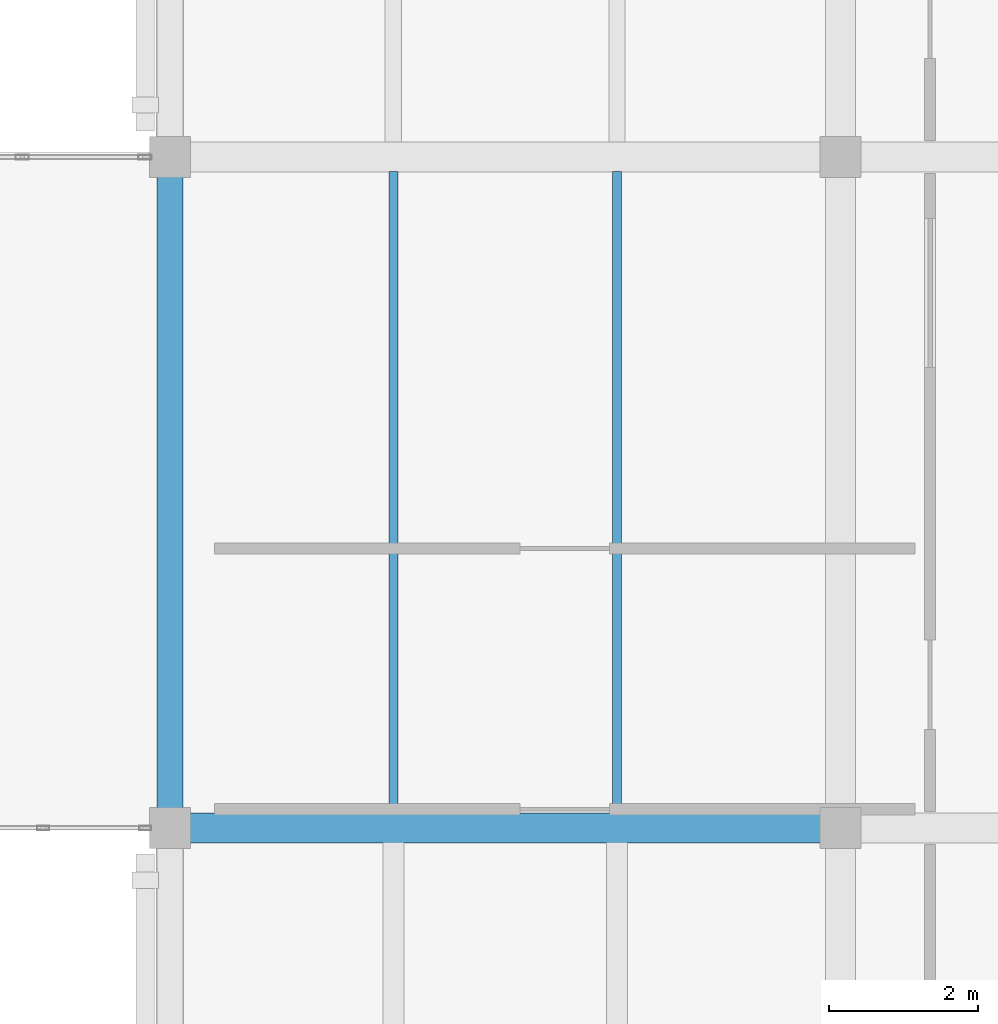
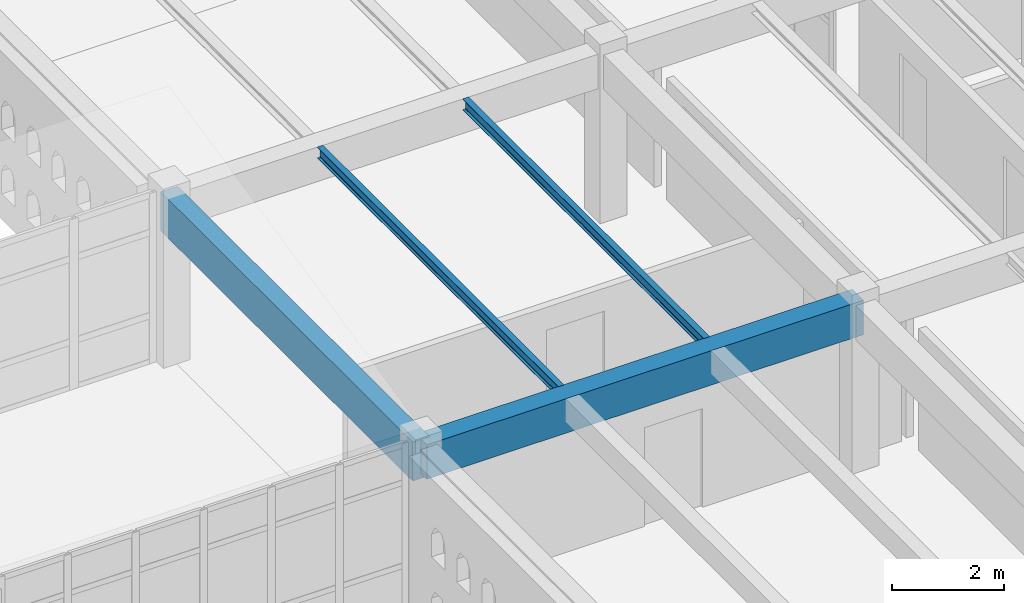
# One storey, part 77 of 156: 4 beams.
"""IFC4 building model written with IfcOpenShell, lengths in metres."""

import ifcopenshell
import ifcopenshell.guid

model = None  # the IFC model being written
_history = None  # IfcOwnerHistory: only IFC2X3 demands one
_inside = {}  # id of a spatial element -> (the spatial element, [elements in it])
_under = {}  # id of a project, library or spatial element -> (it, [spatial elements below it])
_declared = {}  # id of a project -> (the project, [libraries it declares])
_typed = {}  # id of a type object -> (the type object, [elements of that type])
_made_of = {}  # id of a material, layer set ... -> (it, [elements and type objects made of it])


def new_model(schema):
    """Start an empty IFC model of exactly this schema.

    Asked for "IFC4X3", IfcOpenShell would pick the latest addendum, in which some entities
    have other attributes; the version numbers below select the first issue.
    IFC2X3 requires an IfcOwnerHistory on every rooted entity: one is made here for all.
    """
    global model, _history
    if schema == "IFC4X3":
        model = ifcopenshell.file(schema_version=(4, 3, 0, 0))
    else:
        model = ifcopenshell.file(schema=schema)
    _inside.clear()
    _under.clear()
    _declared.clear()
    _typed.clear()
    _made_of.clear()
    _history = None
    if model.schema == "IFC2X3":
        org = make("IfcOrganization", Name="unknown")
        user = make(
            "IfcPersonAndOrganization",
            ThePerson=make("IfcPerson", FamilyName="unknown"),
            TheOrganization=org,
        )
        app = make(
            "IfcApplication",
            ApplicationDeveloper=org,
            Version="unknown",
            ApplicationFullName="unknown",
            ApplicationIdentifier="unknown",
        )
        _history = make(
            "IfcOwnerHistory",
            OwningUser=user,
            OwningApplication=app,
            ChangeAction="ADDED",
            CreationDate=0,
        )
    return model


def make(cls, **values):
    """One entity of the class cls with the attributes given. An attribute that is None is left unset."""
    return model.create_entity(
        cls, **{name: value for name, value in values.items() if value is not None}
    )


def rooted(cls, **values):
    """An entity with a GlobalId (a new one), such as an element, a storey or a relation."""
    return make(cls, GlobalId=ifcopenshell.guid.new(), OwnerHistory=_history, **values)


def si_unit(unit_type, name, prefix=None):
    """IfcSIUnit, for example si_unit("LENGTHUNIT", "METRE", prefix="MILLI")."""
    return make("IfcSIUnit", UnitType=unit_type, Prefix=prefix, Name=name)


def assignment(units):
    """IfcUnitAssignment: the units of a project."""
    return None if units is None else make("IfcUnitAssignment", Units=units)


def point(xyz):
    """IfcCartesianPoint."""
    return None if xyz is None else make("IfcCartesianPoint", Coordinates=xyz)


def direction(xyz):
    """IfcDirection."""
    return None if xyz is None else make("IfcDirection", DirectionRatios=xyz)


def frame(location, z_axis=None, x_axis=None):
    """IfcAxis2Placement3D, a coordinate frame: its origin and axes. An axis left out is left unset."""
    return make(
        "IfcAxis2Placement3D",
        Location=point(location),
        Axis=direction(z_axis),
        RefDirection=direction(x_axis),
    )


def frame_2d(location, x_axis=None):
    """IfcAxis2Placement2D, a coordinate frame in the plane: its origin and x axis."""
    return make(
        "IfcAxis2Placement2D", Location=point(location), RefDirection=direction(x_axis)
    )


def origin():
    """The frame at (0, 0, 0) with its axes left unset."""
    return frame((0.0, 0.0, 0.0))


def origin_2d():
    """The frame at (0, 0) in the plane with its x axis left unset."""
    return frame_2d((0.0, 0.0))


def place(relative_to, where):
    """IfcLocalPlacement: puts the frame where relative to a parent placement (None: the world)."""
    return make(
        "IfcLocalPlacement", PlacementRelTo=relative_to, RelativePlacement=where
    )


def context(
    kind, dimensions, precision=None, world=None, true_north=None, identifier=None
):
    """IfcGeometricRepresentationContext, for example the 3D "Model" context."""
    return make(
        "IfcGeometricRepresentationContext",
        ContextIdentifier=identifier,
        ContextType=kind,
        CoordinateSpaceDimension=dimensions,
        Precision=precision,
        WorldCoordinateSystem=world,
        TrueNorth=true_north,
    )


def subcontext(parent, identifier, kind, view, scale=None):
    """IfcGeometricRepresentationSubContext, for example "Body" below "Model"."""
    return make(
        "IfcGeometricRepresentationSubContext",
        ContextIdentifier=identifier,
        ContextType=kind,
        ParentContext=parent,
        TargetScale=scale,
        TargetView=view,
    )


def project(units=None, contexts=None):
    """IfcProject with its units and contexts."""
    return rooted(
        "IfcProject",
        Name="project",
        RepresentationContexts=contexts,
        UnitsInContext=assignment(units),
    )


def spatial(cls, under=None, at=None, **own):
    """A site, building, storey or space (cls), placed at a placement, below another one or the project."""
    s = rooted(cls, ObjectPlacement=at, **own)
    if under is not None:
        _under.setdefault(under.id(), (under, []))[1].append(s)
    return s


def profile(cls, at=None, kind="AREA", **sizes):
    """A parametric profile (cls). Its sizes go by their IFC names, for example OverallWidth=200.0."""
    return make(cls, ProfileType=kind, Position=at, **sizes)


def rectangle(**sizes):
    """IfcRectangleProfileDef."""
    return profile("IfcRectangleProfileDef", **sizes)


def i_section(**sizes):
    """IfcIShapeProfileDef."""
    return profile("IfcIShapeProfileDef", **sizes)


def extrude(swept, where, along, depth):
    """IfcExtrudedAreaSolid: the profile swept, set in the frame where, extruded along a direction by depth."""
    return make(
        "IfcExtrudedAreaSolid",
        SweptArea=swept,
        Position=where,
        ExtrudedDirection=direction(along),
        Depth=depth,
    )


def shape(context_of_items, identifier, shape_type, items):
    """IfcShapeRepresentation: the items that make up one representation, for example the "Body"."""
    return make(
        "IfcShapeRepresentation",
        ContextOfItems=context_of_items,
        RepresentationIdentifier=identifier,
        RepresentationType=shape_type,
        Items=items,
    )


def material(Name=None, Category=None):
    """IfcMaterial."""
    return make("IfcMaterial", Name=Name, Category=Category)


def material_profile(
    of_material, cross_section, Name=None, Category=None, Priority=None
):
    """IfcMaterialProfile: a cross section and its material."""
    return make(
        "IfcMaterialProfile",
        Name=Name,
        Material=of_material,
        Profile=cross_section,
        Priority=Priority,
        Category=Category,
    )


def profile_set(profiles, Name=None, composite=None):
    """IfcMaterialProfileSet."""
    return make(
        "IfcMaterialProfileSet",
        Name=Name,
        MaterialProfiles=profiles,
        CompositeProfile=composite,
    )


def made_of(thing, what):
    """Note that an element or type object is made of a material, layer set ...; save() writes the relation."""
    if what is not None:
        _made_of.setdefault(what.id(), (what, []))[1].append(thing)
    return thing


def type_object(cls, material=None, **own):
    """A type object (cls), such as IfcWallType, which elements share."""
    return made_of(rooted(cls, **own), material)


def element(
    cls,
    number,
    at=None,
    inside=None,
    cuts=None,
    type_object=None,
    material=None,
    context=None,
    identifier="Body",
    shape_type=None,
    held_by="IfcProductDefinitionShape",
    body=None,
    shapes=None,
    **own,
):
    """One element of the class cls, such as IfcWall. Its Tag is "e" and its number.

    at: its placement. inside: the storey or other place that contains it. cuts: it is an
    opening in that element (IfcRelVoidsElement). A single representation is given by context,
    identifier, shape_type and body (its items); several are given by shapes. held_by: the class
    of the entity that holds the representations. save() writes the other relations.
    """
    e = rooted(cls, Tag="e%d" % number, ObjectPlacement=at, **own)
    if body is not None:
        shapes = [shape(context, identifier, shape_type, body)]
    if shapes is not None:
        e.Representation = make(held_by, Representations=shapes)
    if inside is not None:
        _inside.setdefault(inside.id(), (inside, []))[1].append(e)
    if cuts is not None:
        rooted(
            "IfcRelVoidsElement", RelatingBuildingElement=cuts, RelatedOpeningElement=e
        )
    if type_object is not None:
        _typed.setdefault(type_object.id(), (type_object, []))[1].append(e)
    return made_of(e, material)


def aggregate(whole, parts):
    """IfcRelAggregates: a whole, such as a stair, and the parts it consists of."""
    return rooted("IfcRelAggregates", RelatingObject=whole, RelatedObjects=parts)


def save(model, path):
    """Write the relations noted so far, then the file.

    IfcRelAggregates (storeys below a building ...), IfcRelContainedInSpatialStructure (elements
    in a storey), IfcRelDefinesByType, IfcRelAssociatesMaterial and IfcRelDeclares: one each for
    every whole, place, type object, material and project.
    """
    for whole, parts in _under.values():
        aggregate(whole, parts)
    for where, things in _inside.values():
        rooted(
            "IfcRelContainedInSpatialStructure",
            RelatedElements=things,
            RelatingStructure=where,
        )
    for kind, things in _typed.values():
        rooted("IfcRelDefinesByType", RelatedObjects=things, RelatingType=kind)
    for what, things in _made_of.values():
        rooted("IfcRelAssociatesMaterial", RelatedObjects=things, RelatingMaterial=what)
    for by, libraries in _declared.values():
        rooted("IfcRelDeclares", RelatingContext=by, RelatedDefinitions=libraries)
    model.write(path)


model = new_model("IFC4")

# Units and contexts
model_context = context("Model", 3, precision=1e-05, world=origin(), true_north=direction((0.0, 1.0)))
body_context = subcontext(model_context, "Body", "Model", "MODEL_VIEW")
ifc_project = project(units=[si_unit("LENGTHUNIT", "METRE"), si_unit("AREAUNIT", "SQUARE_METRE"), si_unit("VOLUMEUNIT", "CUBIC_METRE"), si_unit("PLANEANGLEUNIT", "RADIAN"), si_unit("MASSUNIT", "GRAM", prefix="KILO")], contexts=[model_context])

# Site, building, storey
site_placement = place(None, origin())
site = spatial("IfcSite", under=ifc_project, at=site_placement, CompositionType="ELEMENT")
building_placement = place(site_placement, origin())
building = spatial("IfcBuilding", under=site, at=building_placement, Name="Ornek Quay Market", CompositionType="ELEMENT")
storey_placement = place(building_placement, frame((0.0, 0.0, 4.5)))
storey = spatial("IfcBuildingStorey", under=building, at=storey_placement, Name="L01", CompositionType="ELEMENT", Elevation=4.5)

# Beams
ifc_material_1 = material(Name="Concrete C35/45", Category="concrete")
ifc_material_profile_1 = material_profile(ifc_material_1, rectangle(XDim=0.39990234375, YDim=0.75, at=origin_2d()), Name="RC 400x750", Category="concrete")
ifc_profile_set_1 = profile_set([ifc_material_profile_1], Name="Concrete C35/45")
beam_type_1 = type_object("IfcBeamType", Name="BM-CS-400x750", PredefinedType="BEAM", material=ifc_profile_set_1)
beam_1_placement = place(storey_placement, frame((153.0, 20.0, 3.27490234375), z_axis=(1.0, 0.0, 0.0), x_axis=(0.0, 1.0, 0.0)))
element("IfcBeam", 1, at=beam_1_placement, inside=storey, type_object=beam_type_1, Name="Primary beam B-CS1-028", PredefinedType="BEAM", context=body_context, shape_type="SweptSolid", body=[
    extrude(rectangle(XDim=0.39990234375, YDim=0.75, at=origin_2d()), origin(), (0.0, 0.0, 1.0), 9.0),
])
ifc_material_2 = material(Name="Concrete C40/50", Category="concrete")
ifc_material_profile_2 = material_profile(ifc_material_2, rectangle(XDim=0.35009765625, YDim=0.85009765625, at=origin_2d()), Name="RC 350x850", Category="concrete")
ifc_profile_set_2 = profile_set([ifc_material_profile_2], Name="Concrete C40/50")
beam_type_2 = type_object("IfcBeamType", Name="BM-SPN-350x850", PredefinedType="SPANDREL", material=ifc_profile_set_2)
beam_2_placement = place(storey_placement, frame((153.0, 20.0, 3.22509765625), z_axis=(0.0, 1.0, 0.0), x_axis=(-1.0, 0.0, 0.0)))
element("IfcBeam", 2, at=beam_2_placement, inside=storey, type_object=beam_type_2, Name="Primary beam B-SP1-135", PredefinedType="SPANDREL", context=body_context, shape_type="SweptSolid", body=[
    extrude(rectangle(XDim=0.35009765625, YDim=0.85009765625, at=origin_2d()), origin(), (0.0, 0.0, 1.0), 9.0),
])
ifc_material_3 = material(Name="Steel S355", Category="steel")
ifc_material_profile_3 = material_profile(ifc_material_3, i_section(OverallWidth=0.1201171875, OverallDepth=0.239990234375, WebThickness=0.006103515625, FlangeThickness=0.009765625, FilletRadius=0.014892578125, at=origin_2d()), Name="IPE 240", Category="steel")
ifc_profile_set_3 = profile_set([ifc_material_profile_3], Name="Steel S355")
beam_type_3 = type_object("IfcBeamType", Name="BM-STL-IPE240", PredefinedType="JOIST", material=ifc_profile_set_3)
for number, where, z_axis, x_axis, name in (
    (3, (156.0, 20.19189453125, 3.530029296875), (0.0, 1.0, 0.0), (-1.0, 0.0, 0.0), "Secondary joist SB-04-045"),
    (4, (159.0, 20.19189453125, 3.530029296875), (0.0, 1.0, 0.0), (-1.0, 0.0, 0.0), "Secondary joist SB-04-046"),
):
    element("IfcBeam", number, at=place(storey_placement, frame(where, z_axis=z_axis, x_axis=x_axis)), inside=storey, type_object=beam_type_3, Name=name, PredefinedType="JOIST", context=body_context, shape_type="SweptSolid", body=[
        extrude(i_section(OverallWidth=0.1201171875, OverallDepth=0.239990234375, WebThickness=0.006103515625, FlangeThickness=0.009765625, FilletRadius=0.014892578125, at=origin_2d()), origin(), (0.0, 0.0, 1.0), 8.6162109375),
    ])

save(model, "model.ifc")
